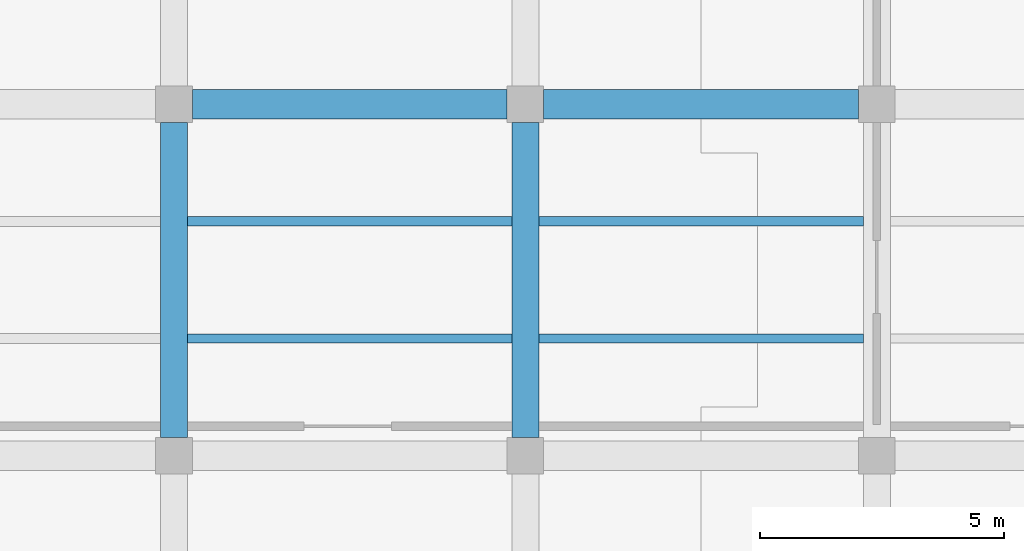
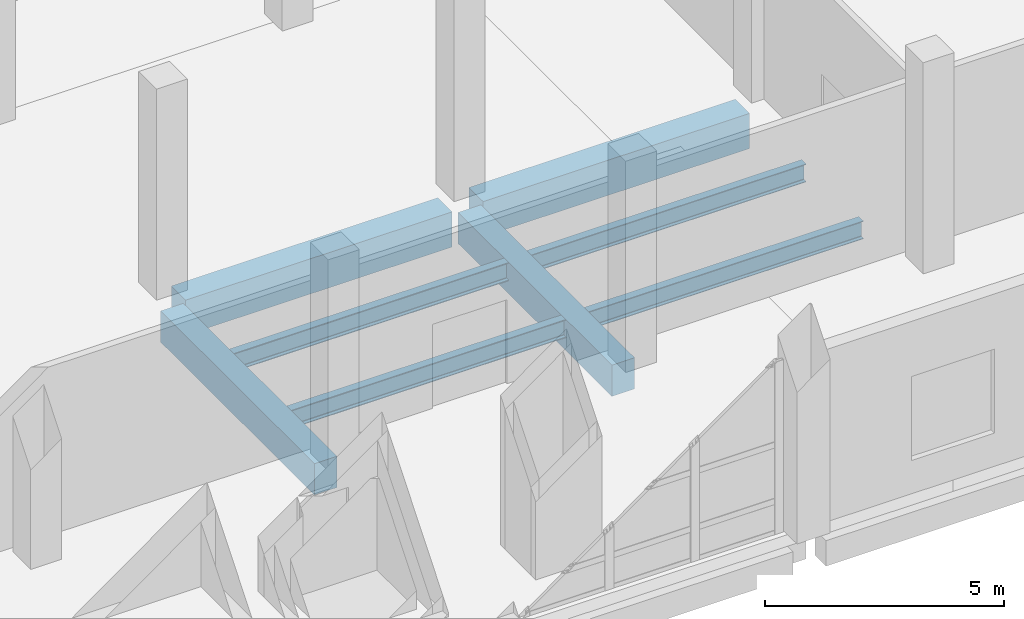
# One storey, part 63 of 137: 8 beams.
"""IFC4 building model written with IfcOpenShell, lengths in metres."""

from ifc_helpers import new_model, si_unit, direction, frame, origin, origin_2d, place, context, subcontext, project, spatial, rectangle, i_section, extrude, material, material_profile, profile_set, type_object, element, save


model = new_model("IFC4")

# Units and contexts
model_context = context("Model", 3, precision=1e-05, world=origin(), true_north=direction((0.0, 1.0)))
body_context = subcontext(model_context, "Body", "Model", "MODEL_VIEW")
ifc_project = project(units=[si_unit("LENGTHUNIT", "METRE"), si_unit("AREAUNIT", "SQUARE_METRE"), si_unit("VOLUMEUNIT", "CUBIC_METRE"), si_unit("PLANEANGLEUNIT", "RADIAN"), si_unit("MASSUNIT", "GRAM", prefix="KILO")], contexts=[model_context])

# Site, building, storey
site_placement = place(None, origin())
site = spatial("IfcSite", under=ifc_project, at=site_placement, CompositionType="ELEMENT")
building_placement = place(site_placement, origin())
building = spatial("IfcBuilding", under=site, at=building_placement, Name="Kalmorath City Hall", CompositionType="ELEMENT")
storey_placement = place(building_placement, origin())
storey = spatial("IfcBuildingStorey", under=building, at=storey_placement, Name="L00", CompositionType="ELEMENT", Elevation=0.0)

# Beams
ifc_material_1 = material(Name="Concrete C40/50", Category="concrete")
ifc_material_profile_1 = material_profile(ifc_material_1, rectangle(XDim=0.550048828125, YDim=0.800048828125, at=origin_2d()), Name="RC-BM-550X800")
ifc_profile_set_1 = profile_set([ifc_material_profile_1], Name="Concrete C40/50")
beam_type_1 = type_object("IfcBeamType", Name="Concrete floor girder 550x800", PredefinedType="BEAM", material=ifc_profile_set_1)
for number, where, z_axis, x_axis, name in (
    (1, (129.60009765625, 7.574951171875, -0.7041015625), (0.0, 1.0, 0.0), (-1.0, 0.0, 0.0), "L00 girder CB2 Y19/2-3"),
    (2, (136.800048828125, 7.574951171875, -0.7041015625), (0.0, 1.0, 0.0), (-1.0, 0.0, 0.0), "L00 girder CB2 Y20/2-3"),
):
    element("IfcBeam", number, at=place(storey_placement, frame(where, z_axis=z_axis, x_axis=x_axis)), inside=storey, type_object=beam_type_1, Name=name, PredefinedType="BEAM", context=body_context, shape_type="SweptSolid", body=[
        extrude(rectangle(XDim=0.550048828125, YDim=0.800048828125, at=origin_2d()), origin(), (0.0, 0.0, 1.0), 6.449951171875),
    ])
ifc_material_2 = material(Name="Concrete C40/50", Category="concrete")
ifc_material_profile_2 = material_profile(ifc_material_2, rectangle(XDim=0.60009765625, YDim=0.89990234375, at=origin_2d()), Name="RC-BM-600X900")
ifc_profile_set_2 = profile_set([ifc_material_profile_2], Name="Concrete C40/50")
beam_type_2 = type_object("IfcBeamType", Name="Concrete floor girder 600x900", PredefinedType="BEAM", material=ifc_profile_set_2)
for number, where, z_axis, x_axis, name in (
    (3, (129.97509765625, 14.39990234375, -0.75390625), (1.0, 0.0, 0.0), (0.0, 1.0, 0.0), "L00 girder CB1 X19-20/3"),
    (4, (137.175048828125, 14.39990234375, -0.75390625), (1.0, 0.0, 0.0), (0.0, 1.0, 0.0), "L00 girder CB1 X20-21/3"),
):
    element("IfcBeam", number, at=place(storey_placement, frame(where, z_axis=z_axis, x_axis=x_axis)), inside=storey, type_object=beam_type_2, Name=name, PredefinedType="BEAM", context=body_context, shape_type="SweptSolid", body=[
        extrude(rectangle(XDim=0.60009765625, YDim=0.89990234375, at=origin_2d()), origin(), (0.0, 0.0, 1.0), 6.449951171875),
    ])
ifc_material_3 = material(Name="Steel ASTM A992 Grade 50", Category="steel")
ifc_material_profile_3 = material_profile(ifc_material_3, i_section(OverallWidth=0.19091796875, OverallDepth=0.4599609375, WebThickness=0.010009765625, FlangeThickness=0.01611328125, FilletRadius=0.013916015625, at=origin_2d()), Name="W18X55")
ifc_profile_set_3 = profile_set([ifc_material_profile_3], Name="Steel ASTM A992 Grade 50")
beam_type_3 = type_object("IfcBeamType", Name="Steel composite joist W18X55", PredefinedType="JOIST", material=ifc_profile_set_3)
for number, where, z_axis, x_axis, name in (
    (5, (137.074951171875, 9.60009765625, -0.533935546875), (1.0, 0.0, 0.0), (0.0, 1.0, 0.0), "L00 joist SJ2 20.2.1"),
    (6, (137.074951171875, 12.0, -0.533935546875), (1.0, 0.0, 0.0), (0.0, 1.0, 0.0), "L00 joist SJ2 20.2.2"),
):
    element("IfcBeam", number, at=place(storey_placement, frame(where, z_axis=z_axis, x_axis=x_axis)), inside=storey, type_object=beam_type_3, Name=name, PredefinedType="JOIST", context=body_context, shape_type="SweptSolid", body=[
        extrude(i_section(OverallWidth=0.19091796875, OverallDepth=0.4599609375, WebThickness=0.010009765625, FlangeThickness=0.01611328125, FilletRadius=0.013916015625, at=origin_2d()), origin(), (0.0, 0.0, 1.0), 6.650146484375),
    ])
ifc_material_4 = material(Name="Steel ASTM A992 Grade 50", Category="steel")
ifc_material_profile_4 = material_profile(ifc_material_4, i_section(OverallWidth=0.193115234375, OverallDepth=0.466064453125, WebThickness=0.011474609375, FlangeThickness=0.01904296875, FilletRadius=0.013916015625, at=origin_2d()), Name="W18X65")
ifc_profile_set_4 = profile_set([ifc_material_profile_4], Name="Steel ASTM A992 Grade 50")
beam_type_4 = type_object("IfcBeamType", Name="Steel composite joist W18X65", PredefinedType="JOIST", material=ifc_profile_set_4)
for number, where, z_axis, x_axis, name in (
    (7, (129.875, 9.60009765625, -0.537109375), (1.0, 0.0, 0.0), (0.0, 1.0, 0.0), "L00 joist SJ1 19.2.1"),
    (8, (129.875, 12.0, -0.537109375), (1.0, 0.0, 0.0), (0.0, 1.0, 0.0), "L00 joist SJ1 19.2.2"),
):
    element("IfcBeam", number, at=place(storey_placement, frame(where, z_axis=z_axis, x_axis=x_axis)), inside=storey, type_object=beam_type_4, Name=name, PredefinedType="JOIST", context=body_context, shape_type="SweptSolid", body=[
        extrude(i_section(OverallWidth=0.193115234375, OverallDepth=0.466064453125, WebThickness=0.011474609375, FlangeThickness=0.01904296875, FilletRadius=0.013916015625, at=origin_2d()), origin(), (0.0, 0.0, 1.0), 6.64990234375),
    ])

save(model, "model.ifc")
